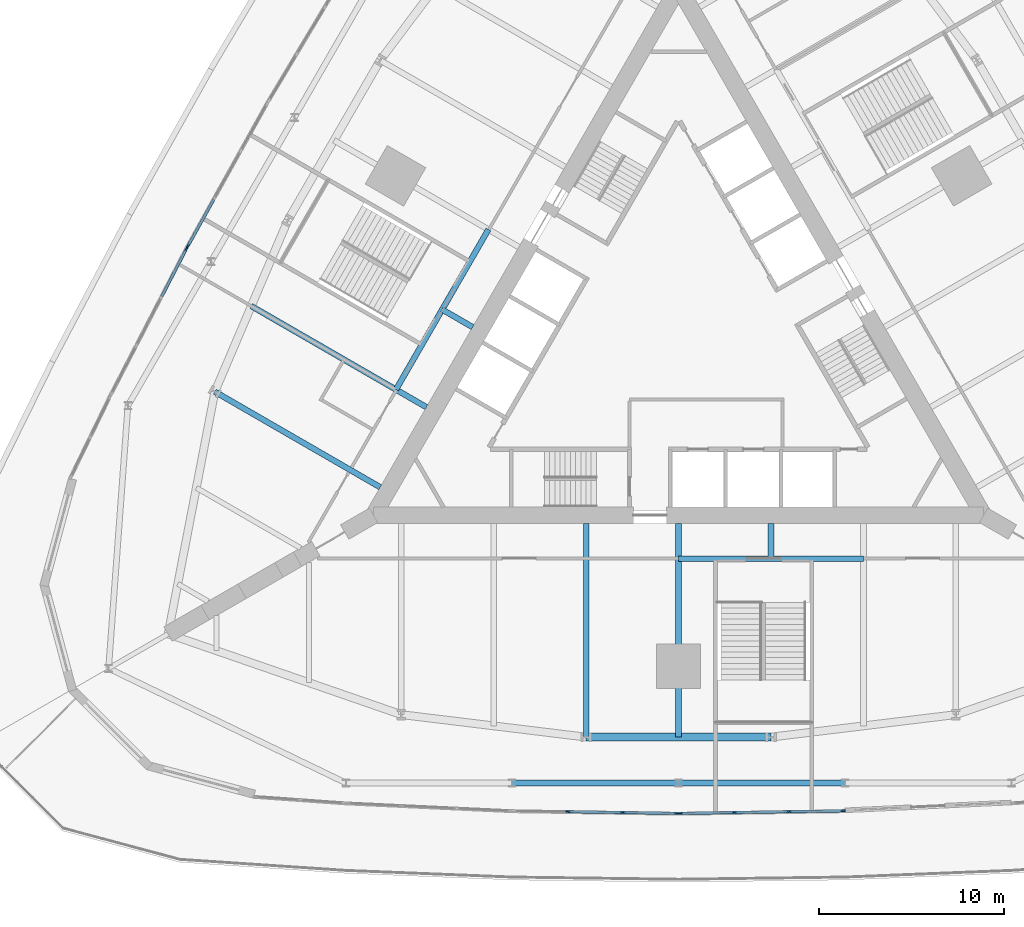
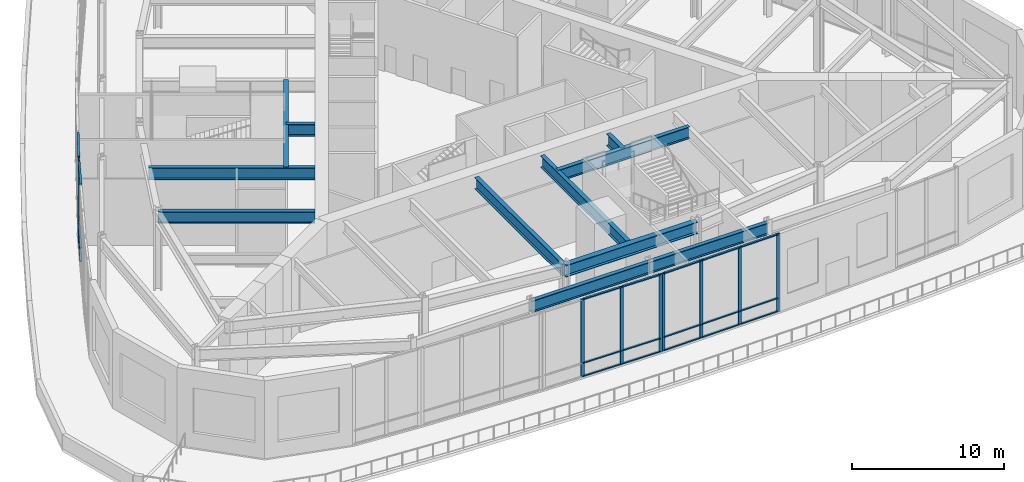
# One storey, part 4 of 19: 30 members, 11 beams, 4 elements without a shape of their own.
"""IFC4 building model written with IfcOpenShell, lengths in metres."""

from ifc_helpers import new_model, si_unit, direction, frame, origin, origin_2d, place, context, subcontext, project, spatial, rectangle, i_section, extrude, material, material_profile, profile_set, type_object, element, aggregate, save


model = new_model("IFC4")

# Units and contexts
model_context = context("Model", 3, precision=1e-05, world=origin(), true_north=direction((0.0, 1.0)))
body_context = subcontext(model_context, "Body", "Model", "MODEL_VIEW")
ifc_project = project(units=[si_unit("LENGTHUNIT", "METRE"), si_unit("AREAUNIT", "SQUARE_METRE"), si_unit("VOLUMEUNIT", "CUBIC_METRE"), si_unit("PLANEANGLEUNIT", "RADIAN"), si_unit("MASSUNIT", "GRAM", prefix="KILO")], contexts=[model_context])

# Site, building, storey
site_placement = place(None, origin())
site = spatial("IfcSite", under=ifc_project, at=site_placement, CompositionType="ELEMENT")
building_placement = place(site_placement, origin())
building = spatial("IfcBuilding", under=site, at=building_placement, Name="Trikona Tower", CompositionType="ELEMENT")
storey_placement = place(building_placement, frame((0.0, 0.0, 11.0)))
storey = spatial("IfcBuildingStorey", under=building, at=storey_placement, Name="L02", CompositionType="ELEMENT", Elevation=11.0)

# Curtain wall, members
ifc_material_1 = material(Name="Aluminium curtain wall system", Category="aluminium")
curtain_wall_type = type_object("IfcCurtainWallType", Name="Curtain wall PD", PredefinedType="NOTDEFINED", material=ifc_material_1)
curtain_wall_1_placement = place(storey_placement, origin())
curtain_wall_1 = element("IfcCurtainWall", 1, at=curtain_wall_1_placement, inside=storey, type_object=curtain_wall_type, Name="Curtain wall PD L02", PredefinedType="NOTDEFINED")
ifc_material_2 = material(Name="Aluminium mullion, pale anodised", Category="aluminium")
ifc_material_profile_1 = material_profile(ifc_material_2, rectangle(XDim=0.090087890625, YDim=0.25, at=origin_2d()), Name="MUL-PD")
ifc_profile_set_1 = profile_set([ifc_material_profile_1], Name="Aluminium mullion, pale anodised")
member_type_1 = type_object("IfcMemberType", Name="Mullion PD 90x250", PredefinedType="MULLION", material=ifc_profile_set_1)
member_1_placement = place(storey_placement, frame((-5.978515625, -25.552490234375, 0.0), z_axis=(0.0, 0.0, 1.0), x_axis=(0.015651235835, 0.999877511907, 0.0)))
member_1 = element("IfcMember", 2, at=member_1_placement, type_object=member_type_1, Name="CW-PD mullion 2", PredefinedType="MULLION", context=body_context, shape_type="SweptSolid", body=[
    extrude(rectangle(XDim=0.090087890625, YDim=0.25, at=origin_2d()), origin(), (0.0, 0.0, 1.0), 6.25),
])
member_2_placement = place(storey_placement, frame((-3.018310546875, -25.598876953125, 0.0), z_axis=(0.0, 0.0, 1.0), x_axis=(0.015651235835, 0.999877511907, 0.0)))
member_2 = element("IfcMember", 3, at=member_2_placement, type_object=member_type_1, Name="CW-PD mullion 3", PredefinedType="MULLION", context=body_context, shape_type="SweptSolid", body=[
    extrude(rectangle(XDim=0.090087890625, YDim=0.25, at=origin_2d()), origin(), (0.0, 0.0, 1.0), 6.25),
])
member_3_placement = place(storey_placement, frame((-0.103515625, -25.64453125, 0.0), z_axis=(0.0, 0.0, 1.0), x_axis=(0.015651235835, 0.999877511907, 0.0)))
member_3 = element("IfcMember", 4, at=member_3_placement, type_object=member_type_1, Name="CW-PD mullion 4", PredefinedType="MULLION", context=body_context, shape_type="SweptSolid", body=[
    extrude(rectangle(XDim=0.090087890625, YDim=0.25, at=origin_2d()), origin(), (0.0, 0.0, 1.0), 6.25),
])

curtain_wall_2_placement = place(storey_placement, origin())
curtain_wall_2 = element("IfcCurtainWall", 5, at=curtain_wall_2_placement, inside=storey, type_object=curtain_wall_type, Name="Curtain wall PD L02", PredefinedType="NOTDEFINED")
member_4_placement = place(storey_placement, frame((0.103515625, -25.64453125, 0.0), z_axis=(0.0, 0.0, 1.0), x_axis=(-0.015651235835, 0.999877511907, 0.0)))
member_4 = element("IfcMember", 6, at=member_4_placement, type_object=member_type_1, Name="CW-PD mullion 1", PredefinedType="MULLION", context=body_context, shape_type="SweptSolid", body=[
    extrude(rectangle(XDim=0.090087890625, YDim=0.25, at=origin_2d()), origin(), (0.0, 0.0, 1.0), 6.25),
])
member_5_placement = place(storey_placement, frame((3.018310546875, -25.598876953125, 0.0), z_axis=(0.0, 0.0, 1.0), x_axis=(-0.015651235835, 0.999877511907, 0.0)))
member_5 = element("IfcMember", 7, at=member_5_placement, type_object=member_type_1, Name="CW-PD mullion 2", PredefinedType="MULLION", context=body_context, shape_type="SweptSolid", body=[
    extrude(rectangle(XDim=0.090087890625, YDim=0.25, at=origin_2d()), origin(), (0.0, 0.0, 1.0), 6.25),
])
member_6_placement = place(storey_placement, frame((5.978515625, -25.552490234375, 0.0), z_axis=(0.0, 0.0, 1.0), x_axis=(-0.015651235835, 0.999877511907, 0.0)))
member_6 = element("IfcMember", 8, at=member_6_placement, type_object=member_type_1, Name="CW-PD mullion 3", PredefinedType="MULLION", context=body_context, shape_type="SweptSolid", body=[
    extrude(rectangle(XDim=0.090087890625, YDim=0.25, at=origin_2d()), origin(), (0.0, 0.0, 1.0), 6.25),
])
member_7_placement = place(storey_placement, frame((8.893310546875, -25.5068359375, 0.0), z_axis=(0.0, 0.0, 1.0), x_axis=(-0.015651235835, 0.999877511907, 0.0)))
member_7 = element("IfcMember", 9, at=member_7_placement, type_object=member_type_1, Name="CW-PD mullion 4", PredefinedType="MULLION", context=body_context, shape_type="SweptSolid", body=[
    extrude(rectangle(XDim=0.090087890625, YDim=0.25, at=origin_2d()), origin(), (0.0, 0.0, 1.0), 6.25),
])

# Curtain wall, member
curtain_wall_3_placement = place(storey_placement, origin())
curtain_wall_3 = element("IfcCurtainWall", 10, at=curtain_wall_3_placement, inside=storey, type_object=curtain_wall_type, Name="Curtain wall PD L02", PredefinedType="NOTDEFINED")
member_8_placement = place(storey_placement, frame((-26.5361328125, 5.051513671875, 0.0), z_axis=(0.0, 0.0, 1.0), x_axis=(0.873743206518, -0.486387509156, 0.0)))
member_8 = element("IfcMember", 11, at=member_8_placement, type_object=member_type_1, Name="CW-PD mullion 4", PredefinedType="MULLION", context=body_context, shape_type="SweptSolid", body=[
    extrude(rectangle(XDim=0.090087890625, YDim=0.25, at=origin_2d()), origin(), (0.0, 0.0, 1.0), 6.25),
])

curtain_wall_4_placement = place(storey_placement, origin())
curtain_wall_4 = element("IfcCurtainWall", 12, at=curtain_wall_4_placement, inside=storey, type_object=curtain_wall_type, Name="Curtain wall PD L02", PredefinedType="NOTDEFINED")
member_9_placement = place(storey_placement, frame((-26.634033203125, 4.869140625, 0.0), z_axis=(0.0, 0.0, 1.0), x_axis=(0.88852451172, -0.458829153469, 0.0)))
member_9 = element("IfcMember", 13, at=member_9_placement, type_object=member_type_1, Name="CW-PD mullion 1", PredefinedType="MULLION", context=body_context, shape_type="SweptSolid", body=[
    extrude(rectangle(XDim=0.090087890625, YDim=0.25, at=origin_2d()), origin(), (0.0, 0.0, 1.0), 6.25),
])

# Beams
ifc_material_3 = material(Name="Steel ASTM A992 Grade 50", Category="steel")
ifc_material_profile_2 = material_profile(ifc_material_3, i_section(OverallWidth=0.307373046875, OverallDepth=0.9423828125, WebThickness=0.022216796875, FlangeThickness=0.039794921875, at=origin_2d()), Name="W36X232")
ifc_profile_set_2 = profile_set([ifc_material_profile_2], Name="Steel ASTM A992 Grade 50")
beam_type_1 = type_object("IfcBeamType", Name="Steel beam W36x232 (ballroom)", PredefinedType="BEAM", material=ifc_profile_set_2)
for number, where, z_axis, x_axis, name in (
    (14, (-9.0, -24.0, 5.77880859375), (1.0, 0.0, 0.0), (0.0, 1.0, 0.0), "Podium beam L03 GR24F0m9-R24F0p0"),
    (15, (0.0, -24.0, 5.77880859375), (1.0, 0.0, 0.0), (0.0, 1.0, 0.0), "Podium beam L03 GR24F0p0-R24F0p9"),
):
    element("IfcBeam", number, at=place(storey_placement, frame(where, z_axis=z_axis, x_axis=x_axis)), inside=storey, type_object=beam_type_1, Name=name, PredefinedType="BEAM", context=body_context, shape_type="SweptSolid", body=[
        extrude(i_section(OverallWidth=0.307373046875, OverallDepth=0.9423828125, WebThickness=0.022216796875, FlangeThickness=0.039794921875, at=origin_2d()), origin(), (0.0, 0.0, 1.0), 9.0),
    ])
ifc_material_4 = material(Name="Steel ASTM A992 Grade 50", Category="steel")
ifc_material_profile_3 = material_profile(ifc_material_4, i_section(OverallWidth=0.307373046875, OverallDepth=0.9423828125, WebThickness=0.022216796875, FlangeThickness=0.039794921875, at=origin_2d()), Name="W36X232")
ifc_profile_set_3 = profile_set([ifc_material_profile_3], Name="Steel ASTM A992 Grade 50")
beam_type_2 = type_object("IfcBeamType", Name="Steel beam W36x232 (radial low)", PredefinedType="BEAM", material=ifc_profile_set_3)
for number, where, z_axis, x_axis, name in (
    (16, (-5.0, -9.976318359375, 5.77880859375), (0.0, -1.0, 0.0), (1.0, 0.0, 0.0), "Floor beam L03 F1 u-5"),
    (17, (0.0, -9.976318359375, 5.77880859375), (0.0, -1.0, 0.0), (1.0, 0.0, 0.0), "Floor beam L03 F1 u0"),
):
    element("IfcBeam", number, at=place(storey_placement, frame(where, z_axis=z_axis, x_axis=x_axis)), inside=storey, type_object=beam_type_2, Name=name, PredefinedType="BEAM", context=body_context, shape_type="SweptSolid", body=[
        extrude(i_section(OverallWidth=0.307373046875, OverallDepth=0.9423828125, WebThickness=0.022216796875, FlangeThickness=0.039794921875, at=origin_2d()), origin(), (0.0, 0.0, 1.0), 11.544189453125),
    ])
beam_1_placement = place(storey_placement, frame((5.0, -9.976318359375, 5.77880859375), z_axis=(0.0, -1.0, 0.0), x_axis=(1.0, 0.0, 0.0)))
element("IfcBeam", 18, at=beam_1_placement, inside=storey, type_object=beam_type_2, Name="Floor beam L03 F1 u5", PredefinedType="BEAM", context=body_context, shape_type="SweptSolid", body=[
    extrude(i_section(OverallWidth=0.307373046875, OverallDepth=0.9423828125, WebThickness=0.022216796875, FlangeThickness=0.039794921875, at=origin_2d()), origin(), (0.0, 0.0, 1.0), 1.89990234375),
])
beam_2_placement = place(storey_placement, frame((0.0, -11.876220703125, 5.77880859375), z_axis=(1.0, 0.0, 0.0), x_axis=(0.0, 1.0, 0.0)))
element("IfcBeam", 19, at=beam_2_placement, inside=storey, type_object=beam_type_2, Name="Trimmer beam L03 F1 podium stair", PredefinedType="BEAM", context=body_context, shape_type="SweptSolid", body=[
    extrude(i_section(OverallWidth=0.307373046875, OverallDepth=0.9423828125, WebThickness=0.022216796875, FlangeThickness=0.039794921875, at=origin_2d()), origin(), (0.0, 0.0, 1.0), 10.0),
])
beam_3_placement = place(storey_placement, frame((-11.1396484375, 0.657958984375, 5.77880859375), z_axis=(-0.866044365799, 0.499967155389, 0.0), x_axis=(-0.499967155389, -0.866044365799, 0.0)))
element("IfcBeam", 20, at=beam_3_placement, inside=storey, type_object=beam_type_2, Name="Floor beam L03 F3 u5", PredefinedType="BEAM", context=body_context, shape_type="SweptSolid", body=[
    extrude(i_section(OverallWidth=0.307373046875, OverallDepth=0.9423828125, WebThickness=0.022216796875, FlangeThickness=0.039794921875, at=origin_2d()), origin(), (0.0, 0.0, 1.0), 1.900146484375),
])
beam_4_placement = place(storey_placement, frame((-13.6396484375, -3.672119140625, 5.77880859375), z_axis=(-0.866025348605, 0.500000095573, 0.0), x_axis=(-0.500000095573, -0.866025348605, 0.0)))
element("IfcBeam", 21, at=beam_4_placement, inside=storey, type_object=beam_type_2, Name="Floor beam L03 F3 u10", PredefinedType="BEAM", context=body_context, shape_type="SweptSolid", body=[
    extrude(i_section(OverallWidth=0.307373046875, OverallDepth=0.9423828125, WebThickness=0.022216796875, FlangeThickness=0.039794921875, at=origin_2d()), origin(), (0.0, 0.0, 1.0), 10.935546875),
])
beam_5_placement = place(storey_placement, frame((-16.1396484375, -8.002197265625, 5.77880859375), z_axis=(-0.866030471684, 0.499991222037, 0.0), x_axis=(-0.499991222037, -0.866030471684, 0.0)))
element("IfcBeam", 22, at=beam_5_placement, inside=storey, type_object=beam_type_2, Name="Floor beam L03 F3 u15", PredefinedType="BEAM", context=body_context, shape_type="SweptSolid", body=[
    extrude(i_section(OverallWidth=0.307373046875, OverallDepth=0.9423828125, WebThickness=0.022216796875, FlangeThickness=0.039794921875, at=origin_2d()), origin(), (0.0, 0.0, 1.0), 10.326904296875),
])
beam_6_placement = place(storey_placement, frame((-10.28515625, 5.93798828125, 5.77880859375), z_axis=(-0.500004234368, -0.866022959057, 0.0), x_axis=(0.866022959057, -0.500004234368, 0.0)))
element("IfcBeam", 23, at=beam_6_placement, inside=storey, type_object=beam_type_2, Name="Trimmer beam L03 F3 podium stair", PredefinedType="BEAM", context=body_context, shape_type="SweptSolid", body=[
    extrude(i_section(OverallWidth=0.307373046875, OverallDepth=0.9423828125, WebThickness=0.022216796875, FlangeThickness=0.039794921875, at=origin_2d()), origin(), (0.0, 0.0, 1.0), 10.0),
])
ifc_material_5 = material(Name="Steel ASTM A992 Grade 50", Category="steel")
ifc_material_profile_4 = material_profile(ifc_material_5, i_section(OverallWidth=0.424072265625, OverallDepth=0.947509765625, WebThickness=0.02392578125, FlangeThickness=0.042724609375, at=origin_2d()), Name="W36X302")
ifc_profile_set_4 = profile_set([ifc_material_profile_4], Name="Steel ASTM A992 Grade 50")
beam_type_3 = type_object("IfcBeamType", Name="Steel beam W36x302 (pod tower spandrel)", PredefinedType="BEAM", material=ifc_profile_set_4)
beam_7_placement = place(storey_placement, frame((-5.0, -21.5205078125, 5.7763671875), z_axis=(1.0, 0.0, 0.0), x_axis=(0.0, 1.0, 0.0)))
element("IfcBeam", 24, at=beam_7_placement, inside=storey, type_object=beam_type_3, Name="Spandrel beam L03 F1-3", PredefinedType="BEAM", context=body_context, shape_type="SweptSolid", body=[
    extrude(i_section(OverallWidth=0.424072265625, OverallDepth=0.947509765625, WebThickness=0.02392578125, FlangeThickness=0.042724609375, at=origin_2d()), origin(), (0.0, 0.0, 1.0), 10.0),
])

# Member
ifc_material_6 = material(Name="Aluminium transom, pale anodised", Category="aluminium")
ifc_material_profile_5 = material_profile(ifc_material_6, rectangle(XDim=0.14990234375, YDim=0.090087890625, at=origin_2d()), Name="TRN-PD")
ifc_profile_set_5 = profile_set([ifc_material_profile_5], Name="Aluminium transom, pale anodised")
member_type_2 = type_object("IfcMemberType", Name="Transom PD 90x150", PredefinedType="USERDEFINED", material=ifc_profile_set_5)
member_10_placement = place(storey_placement, frame((-5.933349609375, -25.55322265625, 0.044921875), z_axis=(0.999877515654, -0.015650996417, 0.0), x_axis=(0.015650996417, 0.999877515654, 0.0)))
member_10 = element("IfcMember", 25, at=member_10_placement, type_object=member_type_2, Name="CW-PD transom 2.1", ObjectType="TRANSOM", PredefinedType="USERDEFINED", context=body_context, shape_type="SweptSolid", body=[
    extrude(rectangle(XDim=0.14990234375, YDim=0.090087890625, at=origin_2d()), origin(), (0.0, 0.0, 1.0), 2.8701171875),
])

member_11_placement = place(storey_placement, frame((-5.933349609375, -25.55322265625, 1.10009765625), z_axis=(0.999877515654, -0.015650996417, 0.0), x_axis=(0.015650996417, 0.999877515654, 0.0)))
member_11 = element("IfcMember", 26, at=member_11_placement, type_object=member_type_2, Name="CW-PD transom 2.2", ObjectType="TRANSOM", PredefinedType="USERDEFINED", context=body_context, shape_type="SweptSolid", body=[
    extrude(rectangle(XDim=0.14990234375, YDim=0.090087890625, at=origin_2d()), origin(), (0.0, 0.0, 1.0), 2.8701171875),
])

member_12_placement = place(storey_placement, frame((-5.933349609375, -25.55322265625, 6.205078125), z_axis=(0.999877515654, -0.015650996417, 0.0), x_axis=(0.015650996417, 0.999877515654, 0.0)))
member_12 = element("IfcMember", 27, at=member_12_placement, type_object=member_type_2, Name="CW-PD transom 2.3", ObjectType="TRANSOM", PredefinedType="USERDEFINED", context=body_context, shape_type="SweptSolid", body=[
    extrude(rectangle(XDim=0.14990234375, YDim=0.090087890625, at=origin_2d()), origin(), (0.0, 0.0, 1.0), 2.8701171875),
])

member_13_placement = place(storey_placement, frame((-2.973388671875, -25.599609375, 0.044921875), z_axis=(0.99987767769, -0.015640641229, 0.0), x_axis=(0.015640641229, 0.99987767769, 0.0)))
member_13 = element("IfcMember", 28, at=member_13_placement, type_object=member_type_2, Name="CW-PD transom 3.1", ObjectType="TRANSOM", PredefinedType="USERDEFINED", context=body_context, shape_type="SweptSolid", body=[
    extrude(rectangle(XDim=0.14990234375, YDim=0.090087890625, at=origin_2d()), origin(), (0.0, 0.0, 1.0), 2.8251953125),
])

member_14_placement = place(storey_placement, frame((-2.973388671875, -25.599609375, 1.10009765625), z_axis=(0.99987767769, -0.015640641229, 0.0), x_axis=(0.015640641229, 0.99987767769, 0.0)))
member_14 = element("IfcMember", 29, at=member_14_placement, type_object=member_type_2, Name="CW-PD transom 3.2", ObjectType="TRANSOM", PredefinedType="USERDEFINED", context=body_context, shape_type="SweptSolid", body=[
    extrude(rectangle(XDim=0.14990234375, YDim=0.090087890625, at=origin_2d()), origin(), (0.0, 0.0, 1.0), 2.8251953125),
])

member_15_placement = place(storey_placement, frame((-2.973388671875, -25.599609375, 6.205078125), z_axis=(0.99987767769, -0.015640641229, 0.0), x_axis=(0.015640641229, 0.99987767769, 0.0)))
member_15 = element("IfcMember", 30, at=member_15_placement, type_object=member_type_2, Name="CW-PD transom 3.3", ObjectType="TRANSOM", PredefinedType="USERDEFINED", context=body_context, shape_type="SweptSolid", body=[
    extrude(rectangle(XDim=0.14990234375, YDim=0.090087890625, at=origin_2d()), origin(), (0.0, 0.0, 1.0), 2.8251953125),
])

aggregate(curtain_wall_1, [member_1, member_2, member_3, member_10, member_11, member_12, member_13, member_14, member_15])

member_16_placement = place(storey_placement, frame((0.1484375, -25.643798828125, 0.044921875), z_axis=(0.99987767769, 0.015640641229, 0.0), x_axis=(-0.015640641229, 0.99987767769, 0.0)))
member_16 = element("IfcMember", 31, at=member_16_placement, type_object=member_type_2, Name="CW-PD transom 1.1", ObjectType="TRANSOM", PredefinedType="USERDEFINED", context=body_context, shape_type="SweptSolid", body=[
    extrude(rectangle(XDim=0.14990234375, YDim=0.090087890625, at=origin_2d()), origin(), (0.0, 0.0, 1.0), 2.8251953125),
])

member_17_placement = place(storey_placement, frame((0.1484375, -25.643798828125, 1.10009765625), z_axis=(0.99987767769, 0.015640641229, 0.0), x_axis=(-0.015640641229, 0.99987767769, 0.0)))
member_17 = element("IfcMember", 32, at=member_17_placement, type_object=member_type_2, Name="CW-PD transom 1.2", ObjectType="TRANSOM", PredefinedType="USERDEFINED", context=body_context, shape_type="SweptSolid", body=[
    extrude(rectangle(XDim=0.14990234375, YDim=0.090087890625, at=origin_2d()), origin(), (0.0, 0.0, 1.0), 2.8251953125),
])

member_18_placement = place(storey_placement, frame((0.1484375, -25.643798828125, 6.205078125), z_axis=(0.99987767769, 0.015640641229, 0.0), x_axis=(-0.015640641229, 0.99987767769, 0.0)))
member_18 = element("IfcMember", 33, at=member_18_placement, type_object=member_type_2, Name="CW-PD transom 1.3", ObjectType="TRANSOM", PredefinedType="USERDEFINED", context=body_context, shape_type="SweptSolid", body=[
    extrude(rectangle(XDim=0.14990234375, YDim=0.090087890625, at=origin_2d()), origin(), (0.0, 0.0, 1.0), 2.8251953125),
])

member_19_placement = place(storey_placement, frame((3.0634765625, -25.59814453125, 0.044921875), z_axis=(0.999877515654, 0.015650996417, 0.0), x_axis=(-0.015650996417, 0.999877515654, 0.0)))
member_19 = element("IfcMember", 34, at=member_19_placement, type_object=member_type_2, Name="CW-PD transom 2.1", ObjectType="TRANSOM", PredefinedType="USERDEFINED", context=body_context, shape_type="SweptSolid", body=[
    extrude(rectangle(XDim=0.14990234375, YDim=0.090087890625, at=origin_2d()), origin(), (0.0, 0.0, 1.0), 2.8701171875),
])

member_20_placement = place(storey_placement, frame((3.0634765625, -25.59814453125, 1.10009765625), z_axis=(0.999877515654, 0.015650996417, 0.0), x_axis=(-0.015650996417, 0.999877515654, 0.0)))
member_20 = element("IfcMember", 35, at=member_20_placement, type_object=member_type_2, Name="CW-PD transom 2.2", ObjectType="TRANSOM", PredefinedType="USERDEFINED", context=body_context, shape_type="SweptSolid", body=[
    extrude(rectangle(XDim=0.14990234375, YDim=0.090087890625, at=origin_2d()), origin(), (0.0, 0.0, 1.0), 2.8701171875),
])

member_21_placement = place(storey_placement, frame((3.0634765625, -25.59814453125, 6.205078125), z_axis=(0.999877515654, 0.015650996417, 0.0), x_axis=(-0.015650996417, 0.999877515654, 0.0)))
member_21 = element("IfcMember", 36, at=member_21_placement, type_object=member_type_2, Name="CW-PD transom 2.3", ObjectType="TRANSOM", PredefinedType="USERDEFINED", context=body_context, shape_type="SweptSolid", body=[
    extrude(rectangle(XDim=0.14990234375, YDim=0.090087890625, at=origin_2d()), origin(), (0.0, 0.0, 1.0), 2.8701171875),
])

member_22_placement = place(storey_placement, frame((6.0234375, -25.5517578125, 0.044921875), z_axis=(0.99987767769, 0.015640641229, 0.0), x_axis=(-0.015640641229, 0.99987767769, 0.0)))
member_22 = element("IfcMember", 37, at=member_22_placement, type_object=member_type_2, Name="CW-PD transom 3.1", ObjectType="TRANSOM", PredefinedType="USERDEFINED", context=body_context, shape_type="SweptSolid", body=[
    extrude(rectangle(XDim=0.14990234375, YDim=0.090087890625, at=origin_2d()), origin(), (0.0, 0.0, 1.0), 2.8251953125),
])

member_23_placement = place(storey_placement, frame((6.0234375, -25.5517578125, 1.10009765625), z_axis=(0.99987767769, 0.015640641229, 0.0), x_axis=(-0.015640641229, 0.99987767769, 0.0)))
member_23 = element("IfcMember", 38, at=member_23_placement, type_object=member_type_2, Name="CW-PD transom 3.2", ObjectType="TRANSOM", PredefinedType="USERDEFINED", context=body_context, shape_type="SweptSolid", body=[
    extrude(rectangle(XDim=0.14990234375, YDim=0.090087890625, at=origin_2d()), origin(), (0.0, 0.0, 1.0), 2.8251953125),
])

member_24_placement = place(storey_placement, frame((6.0234375, -25.5517578125, 6.205078125), z_axis=(0.99987767769, 0.015640641229, 0.0), x_axis=(-0.015640641229, 0.99987767769, 0.0)))
member_24 = element("IfcMember", 39, at=member_24_placement, type_object=member_type_2, Name="CW-PD transom 3.3", ObjectType="TRANSOM", PredefinedType="USERDEFINED", context=body_context, shape_type="SweptSolid", body=[
    extrude(rectangle(XDim=0.14990234375, YDim=0.090087890625, at=origin_2d()), origin(), (0.0, 0.0, 1.0), 2.8251953125),
])

aggregate(curtain_wall_2, [member_4, member_5, member_6, member_7, member_16, member_17, member_18, member_19, member_20, member_21, member_22, member_23, member_24])

member_25_placement = place(storey_placement, frame((-25.14013671875, 7.559326171875, 0.044921875), z_axis=(-0.486420458667, -0.873724863667, 0.0), x_axis=(0.873724863667, -0.486420458667, 0.0)))
member_25 = element("IfcMember", 40, at=member_25_placement, type_object=member_type_2, Name="CW-PD transom 3.1", ObjectType="TRANSOM", PredefinedType="USERDEFINED", context=body_context, shape_type="SweptSolid", body=[
    extrude(rectangle(XDim=0.14990234375, YDim=0.090087890625, at=origin_2d()), origin(), (0.0, 0.0, 1.0), 2.8251953125),
])

member_26_placement = place(storey_placement, frame((-25.14013671875, 7.559326171875, 1.10009765625), z_axis=(-0.486420458667, -0.873724863667, 0.0), x_axis=(0.873724863667, -0.486420458667, 0.0)))
member_26 = element("IfcMember", 41, at=member_26_placement, type_object=member_type_2, Name="CW-PD transom 3.2", ObjectType="TRANSOM", PredefinedType="USERDEFINED", context=body_context, shape_type="SweptSolid", body=[
    extrude(rectangle(XDim=0.14990234375, YDim=0.090087890625, at=origin_2d()), origin(), (0.0, 0.0, 1.0), 2.8251953125),
])

member_27_placement = place(storey_placement, frame((-25.14013671875, 7.559326171875, 6.205078125), z_axis=(-0.486420458667, -0.873724863667, 0.0), x_axis=(0.873724863667, -0.486420458667, 0.0)))
member_27 = element("IfcMember", 42, at=member_27_placement, type_object=member_type_2, Name="CW-PD transom 3.3", ObjectType="TRANSOM", PredefinedType="USERDEFINED", context=body_context, shape_type="SweptSolid", body=[
    extrude(rectangle(XDim=0.14990234375, YDim=0.090087890625, at=origin_2d()), origin(), (0.0, 0.0, 1.0), 2.8251953125),
])

aggregate(curtain_wall_3, [member_8, member_25, member_26, member_27])

member_28_placement = place(storey_placement, frame((-26.65478515625, 4.829345703125, 0.044921875), z_axis=(-0.45877703634, -0.888551422782, 0.0), x_axis=(0.888551422782, -0.45877703634, 0.0)))
member_28 = element("IfcMember", 43, at=member_28_placement, type_object=member_type_2, Name="CW-PD transom 1.1", ObjectType="TRANSOM", PredefinedType="USERDEFINED", context=body_context, shape_type="SweptSolid", body=[
    extrude(rectangle(XDim=0.14990234375, YDim=0.090087890625, at=origin_2d()), origin(), (0.0, 0.0, 1.0), 2.828369140625),
])

member_29_placement = place(storey_placement, frame((-26.65478515625, 4.829345703125, 1.10009765625), z_axis=(-0.45877703634, -0.888551422782, 0.0), x_axis=(0.888551422782, -0.45877703634, 0.0)))
member_29 = element("IfcMember", 44, at=member_29_placement, type_object=member_type_2, Name="CW-PD transom 1.2", ObjectType="TRANSOM", PredefinedType="USERDEFINED", context=body_context, shape_type="SweptSolid", body=[
    extrude(rectangle(XDim=0.14990234375, YDim=0.090087890625, at=origin_2d()), origin(), (0.0, 0.0, 1.0), 2.828369140625),
])

member_30_placement = place(storey_placement, frame((-26.65478515625, 4.829345703125, 6.205078125), z_axis=(-0.45877703634, -0.888551422782, 0.0), x_axis=(0.888551422782, -0.45877703634, 0.0)))
member_30 = element("IfcMember", 45, at=member_30_placement, type_object=member_type_2, Name="CW-PD transom 1.3", ObjectType="TRANSOM", PredefinedType="USERDEFINED", context=body_context, shape_type="SweptSolid", body=[
    extrude(rectangle(XDim=0.14990234375, YDim=0.090087890625, at=origin_2d()), origin(), (0.0, 0.0, 1.0), 2.828369140625),
])

aggregate(curtain_wall_4, [member_9, member_28, member_29, member_30])

save(model, "model.ifc")
